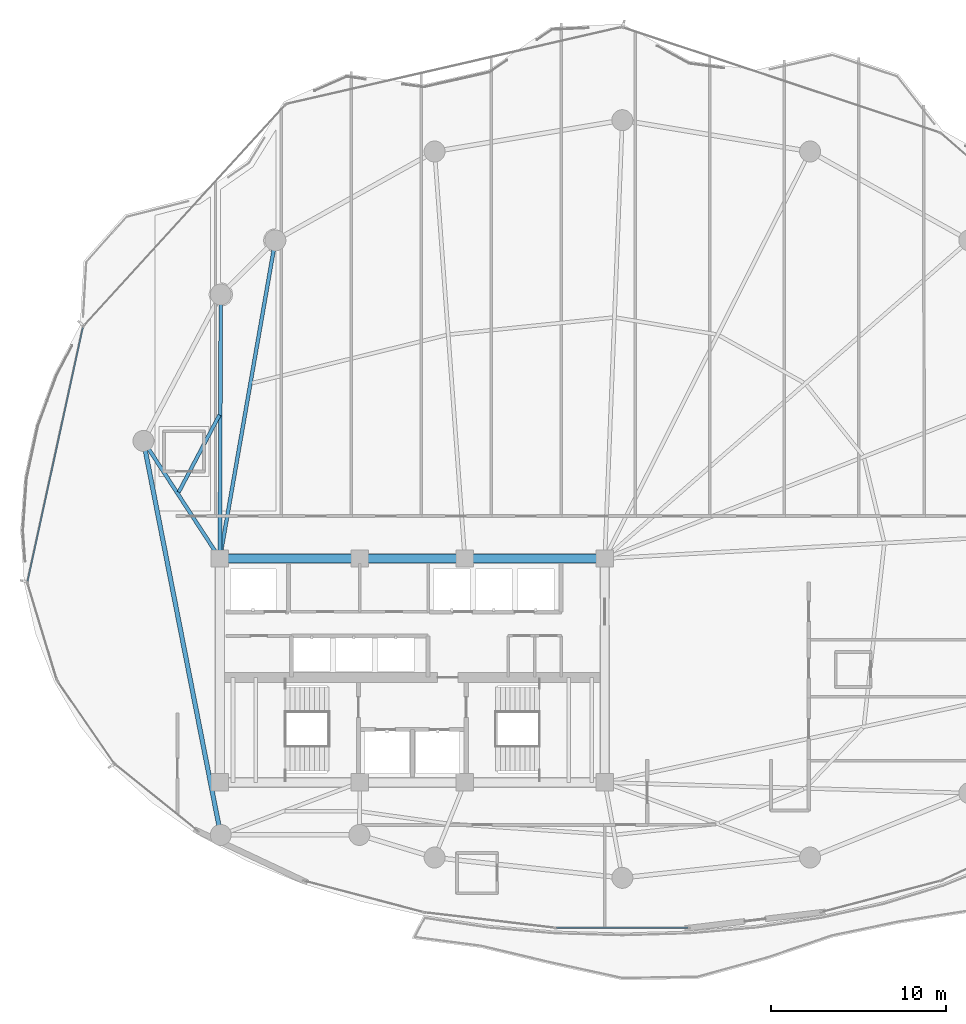
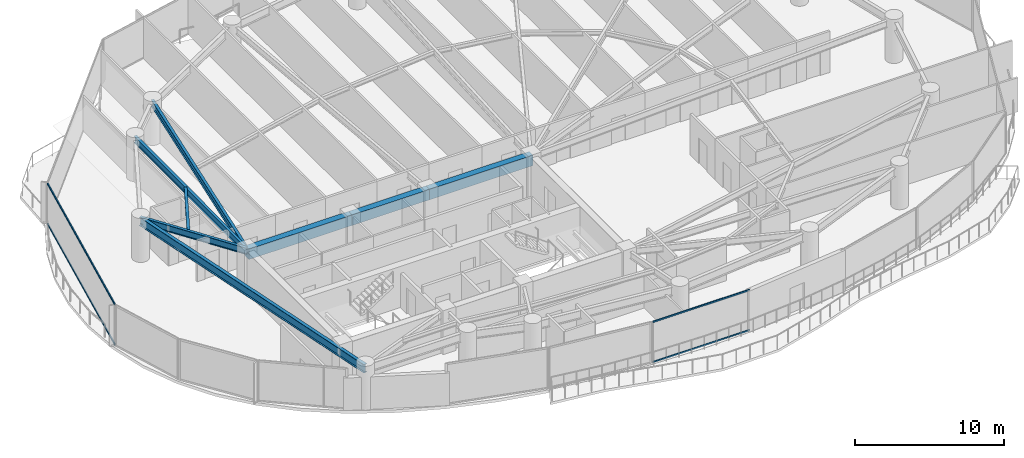
# One storey, part 9 of 34: 8 beams, 4 members, 2 elements without a shape of their own.
"""IFC4 building model written with IfcOpenShell, lengths in metres."""

from ifc_helpers import new_model, si_unit, direction, frame, origin, origin_2d, place, context, subcontext, project, spatial, rectangle, hollow_rectangle, i_section, extrude, material, layer, layer_set, material_profile, profile_set, type_object, element, aggregate, save


model = new_model("IFC4")

# Units and contexts
model_context = context("Model", 3, precision=1e-05, world=origin(), true_north=direction((0.0, 1.0)))
body_context = subcontext(model_context, "Body", "Model", "MODEL_VIEW")
ifc_project = project(units=[si_unit("LENGTHUNIT", "METRE"), si_unit("AREAUNIT", "SQUARE_METRE"), si_unit("VOLUMEUNIT", "CUBIC_METRE"), si_unit("PLANEANGLEUNIT", "RADIAN"), si_unit("MASSUNIT", "GRAM", prefix="KILO")], contexts=[model_context])

# Site, building, storey
site_placement = place(None, origin())
site = spatial("IfcSite", under=ifc_project, at=site_placement, CompositionType="ELEMENT")
building_placement = place(site_placement, origin())
building = spatial("IfcBuilding", under=site, at=building_placement, Name="Kazevale Care Tower and Concert Hall", CompositionType="ELEMENT")
storey_placement = place(building_placement, frame((0.0, 0.0, 160.199951171875)))
storey = spatial("IfcBuildingStorey", under=building, at=storey_placement, Name="L42", CompositionType="ELEMENT", Elevation=160.199951171875)

# Curtain wall, members
ifc_material_1 = material(Name="Aluminium 6063-T6 and Low-E Glass", Category="aluminium")
ifc_layer_1 = layer(ifc_material_1, 0.179931640625)
ifc_layer_set_1 = layer_set([ifc_layer_1], Name="Aluminium 6063-T6 and Low-E Glass")
curtain_wall_type_1 = type_object("IfcCurtainWallType", Name="Waist & Upper Residential Curtain Wall CW-4", PredefinedType="NOTDEFINED", material=ifc_layer_set_1)
curtain_wall_1_placement = place(storey_placement, origin())
curtain_wall_1 = element("IfcCurtainWall", 1, at=curtain_wall_1_placement, inside=storey, type_object=curtain_wall_type_1, Name="cw:L42:f13", PredefinedType="NOTDEFINED")
ifc_material_2 = material(Name="Aluminium 6063-T6", Category="aluminium")
ifc_material_profile_1 = material_profile(ifc_material_2, hollow_rectangle(XDim=0.080078125, YDim=0.139892578125, WallThickness=0.00390625, at=origin_2d()), Name="ALU80x140x4")
ifc_profile_set_1 = profile_set([ifc_material_profile_1], Name="Aluminium 6063-T6")
member_type_1 = type_object("IfcMemberType", Name="CW-4 Transom ALU80x140x4", PredefinedType="USERDEFINED", material=ifc_profile_set_1)
member_1_placement = place(storey_placement, frame((11.011962890625, 35.10205078125, 0.0400390625), z_axis=(0.212825500876, 0.977090224174, 0.0), x_axis=(-0.977090224174, 0.212825500876, 0.0)))
member_1 = element("IfcMember", 2, at=member_1_placement, type_object=member_type_1, Name="CW-4 transom 1.1", ObjectType="TRANSOM", PredefinedType="USERDEFINED", context=body_context, shape_type="SweptSolid", body=[
    extrude(hollow_rectangle(XDim=0.080078125, YDim=0.139892578125, WallThickness=0.00390625, at=origin_2d()), origin(), (0.0, 0.0, 1.0), 14.824462890625),
])
member_2_placement = place(storey_placement, frame((11.011962890625, 35.10205078125, 3.320068359375), z_axis=(0.212825500876, 0.977090224174, 0.0), x_axis=(-0.977090224174, 0.212825500876, 0.0)))
member_2 = element("IfcMember", 3, at=member_2_placement, type_object=member_type_1, Name="CW-4 transom 1.2", ObjectType="TRANSOM", PredefinedType="USERDEFINED", context=body_context, shape_type="SweptSolid", body=[
    extrude(hollow_rectangle(XDim=0.080078125, YDim=0.139892578125, WallThickness=0.00390625, at=origin_2d()), origin(), (0.0, 0.0, 1.0), 14.824462890625),
])
aggregate(curtain_wall_1, [member_1, member_2])

ifc_layer_2 = layer(ifc_material_1, 0.179931640625)
ifc_layer_set_2 = layer_set([ifc_layer_2], Name="Aluminium 6063-T6 and Low-E Glass")
curtain_wall_type_2 = type_object("IfcCurtainWallType", Name="Sheltered Concave Balcony Curtain Wall CW-5", PredefinedType="NOTDEFINED", material=ifc_layer_set_2)
curtain_wall_2_placement = place(storey_placement, origin())
curtain_wall_2 = element("IfcCurtainWall", 4, at=curtain_wall_2_placement, inside=storey, type_object=curtain_wall_type_2, Name="cw:L42:f06", PredefinedType="NOTDEFINED")
ifc_material_profile_2 = material_profile(ifc_material_2, hollow_rectangle(XDim=0.074951171875, YDim=0.1201171875, WallThickness=0.00390625, at=origin_2d()), Name="ALU75x120x4")
ifc_profile_set_2 = profile_set([ifc_material_profile_2], Name="Aluminium 6063-T6")
member_type_2 = type_object("IfcMemberType", Name="CW-5 Transom ALU75x120x4", PredefinedType="USERDEFINED", material=ifc_profile_set_2)
member_3_placement = place(storey_placement, frame((48.76611328125, 15.2890625, 0.03759765625), z_axis=(-1.0, 0.0, 0.0), x_axis=(0.0, -1.0, 0.0)))
member_3 = element("IfcMember", 5, at=member_3_placement, type_object=member_type_2, Name="CW-5 transom 1.1", ObjectType="TRANSOM", PredefinedType="USERDEFINED", context=body_context, shape_type="SweptSolid", body=[
    extrude(hollow_rectangle(XDim=0.074951171875, YDim=0.1201171875, WallThickness=0.00390625, at=origin_2d()), origin(), (0.0, 0.0, 1.0), 7.5322265625),
])
member_4_placement = place(storey_placement, frame((48.76611328125, 15.2890625, 3.322509765625), z_axis=(-1.0, 0.0, 0.0), x_axis=(0.0, -1.0, 0.0)))
member_4 = element("IfcMember", 6, at=member_4_placement, type_object=member_type_2, Name="CW-5 transom 1.2", ObjectType="TRANSOM", PredefinedType="USERDEFINED", context=body_context, shape_type="SweptSolid", body=[
    extrude(hollow_rectangle(XDim=0.074951171875, YDim=0.1201171875, WallThickness=0.00390625, at=origin_2d()), origin(), (0.0, 0.0, 1.0), 7.5322265625),
])
aggregate(curtain_wall_2, [member_3, member_4])

# Beams
ifc_material_3 = material(Name="Concrete C60", Category="concrete")
ifc_material_profile_3 = material_profile(ifc_material_3, rectangle(XDim=0.5, YDim=0.85009765625, at=origin_2d()), Name="RC-B500x850")
ifc_profile_set_3 = profile_set([ifc_material_profile_3], Name="Concrete C60")
beam_type_1 = type_object("IfcBeamType", Name="Core Coupling Beam RC500x850", PredefinedType="LINTEL", material=ifc_profile_set_3)
beam_1_placement = place(storey_placement, frame((44.0, 36.39990234375, 2.93505859375), z_axis=(-1.0, 0.0, 0.0), x_axis=(0.0, -1.0, 0.0)))
element("IfcBeam", 7, at=beam_1_placement, inside=storey, type_object=beam_type_1, Name="beam:L42:coretie:5", PredefinedType="LINTEL", context=body_context, shape_type="SweptSolid", body=[
    extrude(rectangle(XDim=0.5, YDim=0.85009765625, at=origin_2d()), origin(), (0.0, 0.0, 1.0), 8.0),
])
beam_2_placement = place(storey_placement, frame((36.0, 36.39990234375, 2.93505859375), z_axis=(-1.0, 0.0, 0.0), x_axis=(0.0, -1.0, 0.0)))
element("IfcBeam", 8, at=beam_2_placement, inside=storey, type_object=beam_type_1, Name="beam:L42:coretie:6", PredefinedType="LINTEL", context=body_context, shape_type="SweptSolid", body=[
    extrude(rectangle(XDim=0.5, YDim=0.85009765625, at=origin_2d()), origin(), (0.0, 0.0, 1.0), 6.0),
])
beam_3_placement = place(storey_placement, frame((30.0, 36.39990234375, 2.93505859375), z_axis=(-1.0, 0.0, 0.0), x_axis=(0.0, -1.0, 0.0)))
element("IfcBeam", 9, at=beam_3_placement, inside=storey, type_object=beam_type_1, Name="beam:L42:coretie:7", PredefinedType="LINTEL", context=body_context, shape_type="SweptSolid", body=[
    extrude(rectangle(XDim=0.5, YDim=0.85009765625, at=origin_2d()), origin(), (0.0, 0.0, 1.0), 8.0),
])
ifc_material_4 = material(Name="Steel ASTM A572 Gr 50", Category="steel")
ifc_material_profile_4 = material_profile(ifc_material_4, i_section(OverallWidth=0.2119140625, OverallDepth=0.5439453125, WebThickness=0.01318359375, FlangeThickness=0.021240234375, at=origin_2d()), Name="W530x123")
ifc_profile_set_4 = profile_set([ifc_material_profile_4], Name="Steel ASTM A572 Gr 50")
beam_type_2 = type_object("IfcBeamType", Name="Radial Floor Girder W530x123", PredefinedType="BEAM", material=ifc_profile_set_4)
beam_4_placement = place(storey_placement, frame((22.0, 36.39990234375, 3.088134765625), z_axis=(0.171769935245, 0.985137091651, 0.0), x_axis=(-0.985137091651, 0.171769935245, 0.0)))
element("IfcBeam", 10, at=beam_4_placement, inside=storey, type_object=beam_type_2, Name="beam:L42:rad:07", PredefinedType="BEAM", context=body_context, shape_type="SweptSolid", body=[
    extrude(i_section(OverallWidth=0.2119140625, OverallDepth=0.5439453125, WebThickness=0.01318359375, FlangeThickness=0.021240234375, at=origin_2d()), origin(), (0.0, 0.0, 1.0), 18.454345703125),
])
beam_5_placement = place(storey_placement, frame((22.0, 36.39990234375, 3.088134765625), z_axis=(0.003316650851, 0.999994499898, 0.0), x_axis=(-0.999994499898, 0.003316650851, 0.0)))
element("IfcBeam", 11, at=beam_5_placement, inside=storey, type_object=beam_type_2, Name="beam:L42:rad:08", PredefinedType="BEAM", context=body_context, shape_type="SweptSolid", body=[
    extrude(i_section(OverallWidth=0.2119140625, OverallDepth=0.5439453125, WebThickness=0.01318359375, FlangeThickness=0.021240234375, at=origin_2d()), origin(), (0.0, 0.0, 1.0), 15.090087890625),
])
beam_6_placement = place(storey_placement, frame((22.0, 36.39990234375, 3.088134765625), z_axis=(-0.5451617613, 0.83833087383, 0.0), x_axis=(-0.83833087383, -0.5451617613, 0.0)))
element("IfcBeam", 12, at=beam_6_placement, inside=storey, type_object=beam_type_2, Name="beam:L42:rad:09", PredefinedType="BEAM", context=body_context, shape_type="SweptSolid", body=[
    extrude(i_section(OverallWidth=0.2119140625, OverallDepth=0.5439453125, WebThickness=0.01318359375, FlangeThickness=0.021240234375, at=origin_2d()), origin(), (0.0, 0.0, 1.0), 8.01611328125),
])
ifc_material_profile_5 = material_profile(ifc_material_4, i_section(OverallWidth=0.205078125, OverallDepth=0.35400390625, WebThickness=0.009521484375, FlangeThickness=0.016845703125, at=origin_2d()), Name="W360x79")
ifc_profile_set_5 = profile_set([ifc_material_profile_5], Name="Steel ASTM A572 Gr 50")
beam_type_3 = type_object("IfcBeamType", Name="Secondary Floor Joist W360x79", PredefinedType="JOIST", material=ifc_profile_set_5)
beam_7_placement = place(storey_placement, frame((21.97802734375, 44.60693359375, 3.18310546875), z_axis=(-0.466809583155, -0.884357853515, 0.0), x_axis=(0.884357853515, -0.466809583155, 0.0)))
element("IfcBeam", 13, at=beam_7_placement, inside=storey, type_object=beam_type_3, Name="beam:L42:joist:08", PredefinedType="JOIST", context=body_context, shape_type="SweptSolid", body=[
    extrude(i_section(OverallWidth=0.205078125, OverallDepth=0.35400390625, WebThickness=0.009521484375, FlangeThickness=0.016845703125, at=origin_2d()), origin(), (0.0, 0.0, 1.0), 4.99560546875),
])
ifc_material_profile_6 = material_profile(ifc_material_4, i_section(OverallWidth=0.256103515625, OverallDepth=0.693115234375, WebThickness=0.014404296875, FlangeThickness=0.023681640625, at=origin_2d()), Name="W690x170")
ifc_profile_set_6 = profile_set([ifc_material_profile_6], Name="Steel ASTM A572 Gr 50")
beam_type_4 = type_object("IfcBeamType", Name="Waist Ring Beam W690x170", PredefinedType="BEAM", material=ifc_profile_set_6)
beam_8_placement = place(storey_placement, frame((17.6298828125, 43.1201171875, 3.013427734375), z_axis=(0.192602267784, -0.9812769061, 0.0), x_axis=(0.9812769061, 0.192602267784, 0.0)))
element("IfcBeam", 14, at=beam_8_placement, inside=storey, type_object=beam_type_4, Name="beam:L42:ring:09", PredefinedType="BEAM", context=body_context, shape_type="SweptSolid", body=[
    extrude(i_section(OverallWidth=0.256103515625, OverallDepth=0.693115234375, WebThickness=0.014404296875, FlangeThickness=0.023681640625, at=origin_2d()), origin(), (0.0, 0.0, 1.0), 22.94970703125),
])

save(model, "model.ifc")
